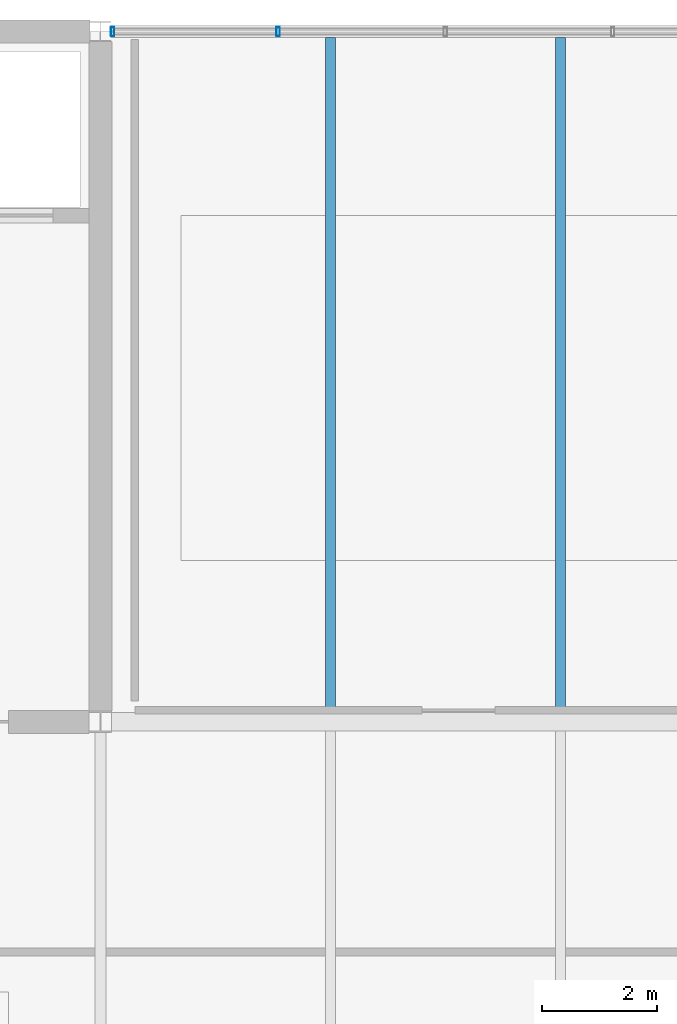
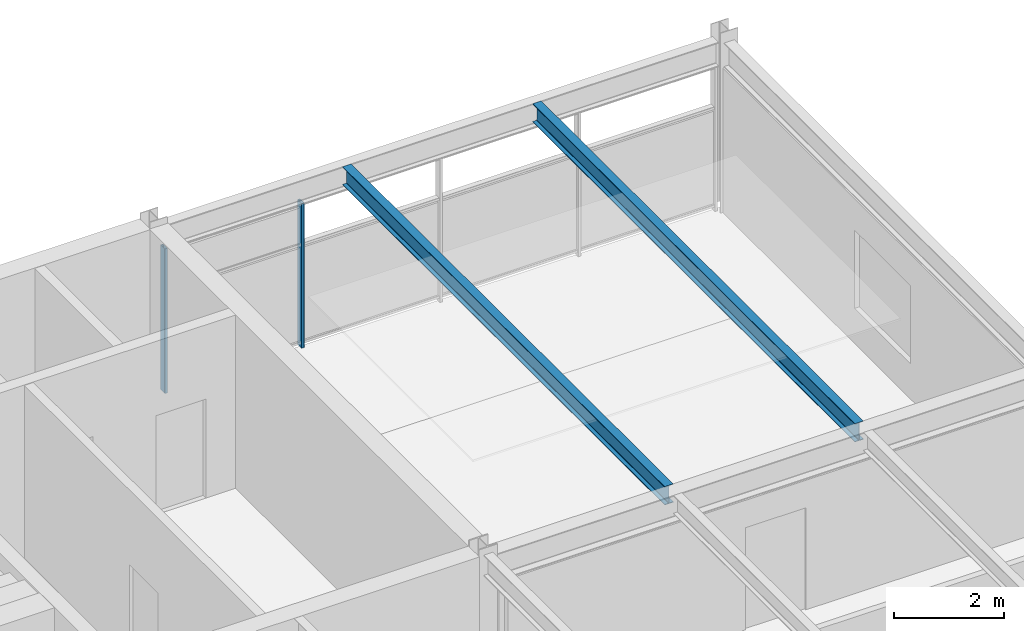
# One storey, part 32 of 40: 2 beams, 2 members, 1 element without a shape of its own.
"""IFC4 building model written with IfcOpenShell, lengths in metres."""

from ifc_helpers import new_model, si_unit, direction, frame, origin, origin_2d, place, context, subcontext, project, spatial, hollow_rectangle, i_section, extrude, material, material_profile, profile_set, type_object, element, aggregate, save


model = new_model("IFC4")

# Units and contexts
model_context = context("Model", 3, precision=1e-05, world=origin(), true_north=direction((0.0, 1.0)))
body_context = subcontext(model_context, "Body", "Model", "MODEL_VIEW")
ifc_project = project(units=[si_unit("LENGTHUNIT", "METRE"), si_unit("AREAUNIT", "SQUARE_METRE"), si_unit("VOLUMEUNIT", "CUBIC_METRE"), si_unit("PLANEANGLEUNIT", "RADIAN"), si_unit("MASSUNIT", "GRAM", prefix="KILO")], contexts=[model_context])

# Site, building, storey
site_placement = place(None, origin())
site = spatial("IfcSite", under=ifc_project, at=site_placement, CompositionType="ELEMENT")
building_placement = place(site_placement, origin())
building = spatial("IfcBuilding", under=site, at=building_placement, Name="Girod Span Mobility Hub", CompositionType="ELEMENT")
storey_placement = place(building_placement, frame((0.0, 0.0, 57.60009765625)))
storey = spatial("IfcBuildingStorey", under=building, at=storey_placement, Name="L14", CompositionType="ELEMENT", Elevation=57.60009765625)

# Beams
ifc_material_1 = material(Name="Steel A992 Grade 50", Category="steel")
ifc_material_profile_1 = material_profile(ifc_material_1, i_section(OverallWidth=0.178955078125, OverallDepth=0.409912109375, WebThickness=0.0087890625, FlangeThickness=0.014404296875, FilletRadius=0.012939453125, at=origin_2d()), Name="W16X45")
ifc_profile_set_1 = profile_set([ifc_material_profile_1], Name="Steel A992 Grade 50")
beam_type = type_object("IfcBeamType", Name="BM-STL-W16X45", PredefinedType="BEAM", material=ifc_profile_set_1)
for number, where, z_axis, x_axis, name in (
    (1, (124.0, 57.158935546875, 3.554931640625), (0.0, 1.0, 0.0), (-1.0, 0.0, 0.0), "Composite Floorbeam 11/E-1 L14"),
    (2, (128.0, 57.158935546875, 3.554931640625), (0.0, 1.0, 0.0), (-1.0, 0.0, 0.0), "Composite Floorbeam 11/E-2 L14"),
):
    element("IfcBeam", number, at=place(storey_placement, frame(where, z_axis=z_axis, x_axis=x_axis)), inside=storey, type_object=beam_type, Name=name, PredefinedType="BEAM", context=body_context, shape_type="SweptSolid", body=[
        extrude(i_section(OverallWidth=0.178955078125, OverallDepth=0.409912109375, WebThickness=0.0087890625, FlangeThickness=0.014404296875, FilletRadius=0.012939453125, at=origin_2d()), origin(), (0.0, 0.0, 1.0), 11.738037109375),
    ])

# Curtain wall, members
ifc_material_2 = material(Name="Thermally Broken Anodised Aluminium", Category="aluminium")
curtain_wall_type = type_object("IfcCurtainWallType", Name="CW-1164X322", PredefinedType="USERDEFINED", material=ifc_material_2)
curtain_wall_placement = place(storey_placement, origin())
curtain_wall = element("IfcCurtainWall", 3, at=curtain_wall_placement, inside=storey, type_object=curtain_wall_type, Name="Unitised Curtain Wall CW-L14-N11 L14", ObjectType="UNITISED CURTAIN WALL", PredefinedType="USERDEFINED")
ifc_material_3 = material(Name="Thermally Broken Anodised Aluminium", Category="aluminium")
ifc_material_profile_2 = material_profile(ifc_material_3, hollow_rectangle(XDim=0.159912109375, YDim=0.06005859375, WallThickness=0.00341796875, InnerFilletRadius=0.00341796875, OuterFilletRadius=0.007080078125, at=origin_2d()), Name="CW-ML-60X160")
ifc_profile_set_2 = profile_set([ifc_material_profile_2], Name="Thermally Broken Anodised Aluminium")
member_type = type_object("IfcMemberType", Name="CWM-ML-3", PredefinedType="MULLION", material=ifc_profile_set_2)
member_1_placement = place(storey_placement, frame((120.214599609375, 69.0, 0.0), z_axis=(0.0, 0.0, 1.0), x_axis=(0.0, 1.0, 0.0)))
member_1 = element("IfcMember", 4, at=member_1_placement, type_object=member_type, Name="Curtain Wall Mullion CW-L14-N11-M0", PredefinedType="MULLION", context=body_context, shape_type="SweptSolid", body=[
    extrude(hollow_rectangle(XDim=0.159912109375, YDim=0.06005859375, WallThickness=0.00341796875, InnerFilletRadius=0.00341796875, OuterFilletRadius=0.007080078125, at=origin_2d()), origin(), (0.0, 0.0, 1.0), 3.2158203125),
])
member_2_placement = place(storey_placement, frame((123.09130859375, 69.0, 0.0), z_axis=(0.0, 0.0, 1.0), x_axis=(0.0, 1.0, 0.0)))
member_2 = element("IfcMember", 5, at=member_2_placement, type_object=member_type, Name="Curtain Wall Mullion CW-L14-N11-M1", PredefinedType="MULLION", context=body_context, shape_type="SweptSolid", body=[
    extrude(hollow_rectangle(XDim=0.159912109375, YDim=0.06005859375, WallThickness=0.00341796875, InnerFilletRadius=0.00341796875, OuterFilletRadius=0.007080078125, at=origin_2d()), origin(), (0.0, 0.0, 1.0), 3.2158203125),
])
aggregate(curtain_wall, [member_1, member_2])

save(model, "model.ifc")
